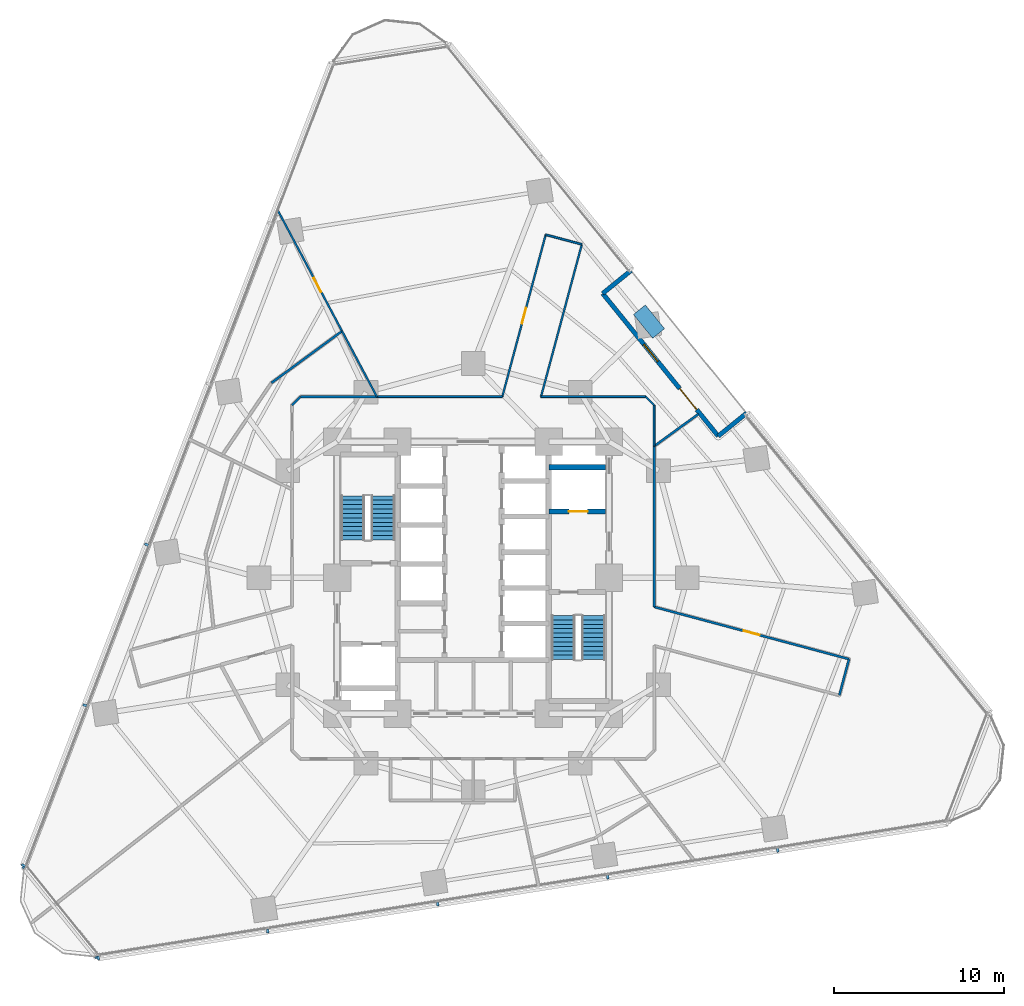
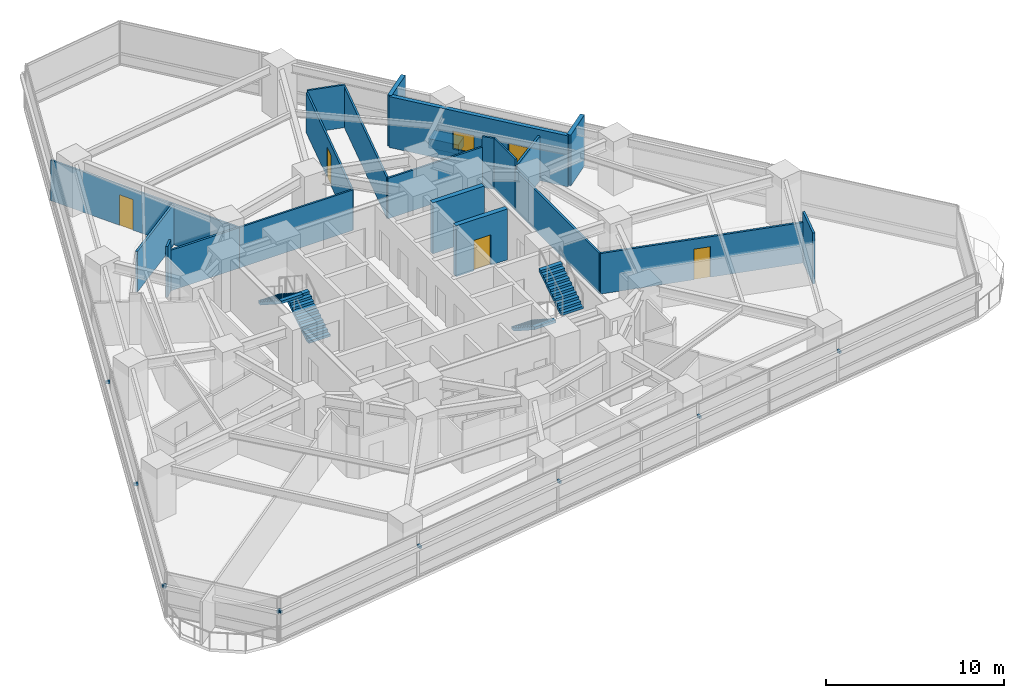
# One storey, part 9 of 13: 21 walls, 11 discrete accessories, 5 doors, 4 stair flights, 1 window, 6 openings, 2 elements without a shape of their own.
"""IFC4 building model written with IfcOpenShell, lengths in metres."""

from ifc_helpers import new_model, si_unit, direction, frame, frame_2d, origin, origin_2d, place, context, subcontext, project, spatial, polyline, rectangle, outline, extrude, material, layer, layer_set, type_object, element, fill, aggregate, save


model = new_model("IFC4")

# Units and contexts
model_context = context("Model", 3, precision=1e-05, world=origin(), true_north=direction((0.0, 1.0)))
body_context = subcontext(model_context, "Body", "Model", "MODEL_VIEW")
ifc_project = project(units=[si_unit("LENGTHUNIT", "METRE"), si_unit("AREAUNIT", "SQUARE_METRE"), si_unit("VOLUMEUNIT", "CUBIC_METRE"), si_unit("PLANEANGLEUNIT", "RADIAN"), si_unit("MASSUNIT", "GRAM", prefix="KILO")], contexts=[model_context])

# Site, building, storey
site_placement = place(None, origin())
site = spatial("IfcSite", under=ifc_project, at=site_placement, CompositionType="ELEMENT")
building_placement = place(site_placement, origin())
building = spatial("IfcBuilding", under=site, at=building_placement, Name="Terralouvre Media Tower", CompositionType="ELEMENT")
storey_placement = place(building_placement, frame((0.0, 0.0, 77.800048828125)))
storey = spatial("IfcBuildingStorey", under=building, at=storey_placement, Name="L19", CompositionType="ELEMENT", Elevation=77.800048828125)

# Wall, opening, door
ifc_material_1 = material(Name="Concrete C50/60", Category="concrete")
ifc_layer_1 = layer(ifc_material_1, 0.300048828125, Name="Core Internal Shaft Wall CW-300")
ifc_layer_set_1 = layer_set([ifc_layer_1], Name="Concrete C50/60")
wall_type_1 = type_object("IfcWallType", Name="Core Internal Shaft Wall CW-300", PredefinedType="SHEAR", material=ifc_layer_set_1)
wall_1_placement = place(storey_placement, frame((4.449951171875, 3.89990234375, 0.0), z_axis=(0.0, 0.0, 1.0), x_axis=(1.0, 0.0, 0.0)))
wall_1 = element("IfcWall", 1, at=wall_1_placement, inside=storey, type_object=wall_type_1, Name="L19 Core Shaft Wall FF2S", PredefinedType="SHEAR", context=body_context, shape_type="SweptSolid", body=[
    extrude(rectangle(XDim=3.340087890625, YDim=0.300048828125, at=frame_2d((1.669921875, 0.0))), origin(), (0.0, 0.0, 1.0), 3.5),
])
opening_1_placement = place(wall_1_placement, frame((1.179931640625, 0.0, 0.0)))
opening_1 = element("IfcOpeningElement", 2, at=opening_1_placement, cuts=wall_1, Name="Opening LD-FF", PredefinedType="OPENING", context=body_context, shape_type="SweptSolid", body=[
    extrude(rectangle(XDim=1.10009765625, YDim=2.10009765625, at=frame_2d((0.550048828125, 1.050048828125))), frame((0.0, 0.159912109375, 0.0), z_axis=(0.0, -1.0, 0.0), x_axis=(1.0, 0.0, 0.0)), (0.0, 0.0, 1.0), 0.320068359375),
])
ifc_material_2 = material(Name="Stainless steel 316 handrail and balustrade", Category="steel")
door_type_1 = type_object("IfcDoorType", Name="Firefighting Lift Sliding Landing Door LD-FF", OperationType="SLIDING_TO_LEFT", PredefinedType="DOOR", material=ifc_material_2)
door_1_placement = place(opening_1_placement, origin())
door_1 = element("IfcDoor", 3, at=door_1_placement, inside=storey, type_object=door_type_1, Name="L19 Firefighting Lift FFL-02 Landing Door", OperationType="SLIDING_TO_LEFT", OverallHeight=2.10009765625, OverallWidth=1.10009765625, PredefinedType="DOOR", context=body_context, shape_type="SweptSolid", body=[
    extrude(rectangle(XDim=1.10009765625, YDim=2.10009765625, at=frame_2d((0.550048828125, 1.050048828125))), frame((0.0, 0.02490234375, 0.0), z_axis=(0.0, -1.0, 0.0), x_axis=(1.0, 0.0, 0.0)), (0.0, 0.0, 1.0), 0.050048828125),
])
fill(opening_1, door_1)

# Walls
wall_2_placement = place(storey_placement, frame((4.449951171875, 6.5, 0.0), z_axis=(0.0, 0.0, 1.0), x_axis=(1.0, 0.0, 0.0)))
element("IfcWall", 4, at=wall_2_placement, inside=storey, type_object=wall_type_1, Name="L19 Core Shaft Wall FF2N", PredefinedType="SHEAR", context=body_context, shape_type="SweptSolid", body=[
    extrude(rectangle(XDim=3.340087890625, YDim=0.300048828125, at=frame_2d((1.669921875, 0.0))), origin(), (0.0, 0.0, 1.0), 3.5),
])
ifc_material_3 = material(Name="Fire-rated gypsum board drywall partition")
ifc_layer_2 = layer(ifc_material_3, 0.135009765625, Name="Newsroom Acoustic Partition PT-135")
ifc_layer_set_2 = layer_set([ifc_layer_2], Name="Fire-rated gypsum board drywall partition")
wall_type_2 = type_object("IfcWallType", Name="Newsroom Acoustic Partition PT-135", PredefinedType="PARTITIONING", material=ifc_layer_set_2)
wall_3_placement = place(storey_placement, frame((21.544921875, -6.912109375, 0.0), z_axis=(0.0, 0.0, 1.0), x_axis=(0.259105843213, 0.965848933329, 0.0)))
element("IfcWall", 5, at=wall_3_placement, inside=storey, type_object=wall_type_2, Name="L19 Interior Partition 005", PredefinedType="PARTITIONING", context=body_context, shape_type="SweptSolid", body=[
    extrude(rectangle(XDim=2.2001953125, YDim=0.135009765625, at=frame_2d((1.10009765625, 0.0))), origin(), (0.0, 0.0, 1.0), 3.5),
])

# Wall, opening, door
wall_4_placement = place(storey_placement, frame((22.114990234375, -4.787109375, 0.0), z_axis=(0.0, 0.0, 1.0), x_axis=(-0.965926659449, 0.258815935688, 0.0)))
wall_4 = element("IfcWall", 6, at=wall_4_placement, inside=storey, type_object=wall_type_2, Name="L19 Interior Partition 006", PredefinedType="PARTITIONING", context=body_context, shape_type="SweptSolid", body=[
    extrude(rectangle(XDim=11.86962890625, YDim=0.135009765625, at=frame_2d((5.934814453125, 0.0))), origin(), (0.0, 0.0, 1.0), 2.784912109375),
])
opening_2_placement = place(wall_4_placement, frame((5.459716796875, 0.0, 0.0)))
opening_2 = element("IfcOpeningElement", 7, at=opening_2_placement, cuts=wall_4, Name="Opening ID-02-95X210", PredefinedType="OPENING", context=body_context, shape_type="SweptSolid", body=[
    extrude(rectangle(XDim=0.949951171875, YDim=2.10009765625, at=frame_2d((0.47509765625, 1.050048828125))), frame((0.0, 0.077392578125, 0.0), z_axis=(0.0, -1.0, 0.0), x_axis=(1.0, 0.0, 0.0)), (0.0, 0.0, 1.0), 0.155029296875),
])
ifc_material_4 = material(Name="Engineered hardwood acoustic timber leaf", Category="wood")
door_type_2 = type_object("IfcDoorType", Name="Office and Meeting Room Door ID-02 (950x2100)", OperationType="NOTDEFINED", PredefinedType="DOOR", material=ifc_material_4)
door_2_placement = place(opening_2_placement, origin())
door_2 = element("IfcDoor", 8, at=door_2_placement, inside=storey, type_object=door_type_2, Name="L19 Foreign Press Reading Study 1 Door", OperationType="SINGLE_SWING_RIGHT", OverallHeight=2.10009765625, OverallWidth=0.949951171875, PredefinedType="DOOR", context=body_context, shape_type="SweptSolid", body=[
    extrude(rectangle(XDim=0.949951171875, YDim=2.10009765625, at=frame_2d((0.47509765625, 1.050048828125))), frame((0.0, 0.02490234375, 0.0), z_axis=(0.0, -1.0, 0.0), x_axis=(1.0, 0.0, 0.0)), (0.0, 0.0, 1.0), 0.050048828125),
])
fill(opening_2, door_2)

# Walls
wall_5_placement = place(storey_placement, frame((10.64990234375, -1.715087890625, 0.0), z_axis=(0.0, 0.0, 1.0), x_axis=(0.0, 1.0, 0.0)))
element("IfcWall", 9, at=wall_5_placement, inside=storey, type_object=wall_type_2, Name="L19 Interior Partition 007", PredefinedType="PARTITIONING", context=body_context, shape_type="SweptSolid", body=[
    extrude(rectangle(XDim=9.453125, YDim=0.135009765625, at=frame_2d((4.7265625, 0.0))), origin(), (0.0, 0.0, 1.0), 2.784912109375),
])
wall_6_placement = place(storey_placement, frame((-5.6630859375, 10.64990234375, 0.0), z_axis=(0.0, 0.0, 1.0), x_axis=(-1.0, 0.0, 0.0)))
element("IfcWall", 10, at=wall_6_placement, inside=storey, type_object=wall_type_2, Name="L19 Interior Partition 029", PredefinedType="PARTITIONING", context=body_context, shape_type="SweptSolid", body=[
    extrude(rectangle(XDim=4.48681640625, YDim=0.135009765625, at=frame_2d((2.243408203125, 0.0))), origin(), (0.0, 0.0, 1.0), 2.784912109375),
])
wall_7_placement = place(storey_placement, frame((-10.14990234375, 10.64990234375, 0.0), z_axis=(0.0, 0.0, 1.0), x_axis=(-0.707106781187, -0.707106781187, 0.0)))
element("IfcWall", 11, at=wall_7_placement, inside=storey, type_object=wall_type_2, Name="L19 Interior Partition 030", PredefinedType="PARTITIONING", context=body_context, shape_type="SweptSolid", body=[
    extrude(rectangle(XDim=0.70703125, YDim=0.135009765625, at=frame_2d((0.353515625, 0.0))), origin(), (0.0, 0.0, 1.0), 3.5),
])
wall_8_placement = place(storey_placement, frame((13.260498046875, 9.634521484375, 0.0), z_axis=(0.0, 0.0, 1.0), x_axis=(-0.809050067095, -0.587739728906, 0.0)))
element("IfcWall", 12, at=wall_8_placement, inside=storey, type_object=wall_type_2, Name="L19 Interior Partition 032", PredefinedType="PARTITIONING", context=body_context, shape_type="SweptSolid", body=[
    extrude(rectangle(XDim=3.226806640625, YDim=0.135009765625, at=frame_2d((1.61328125, 0.0))), origin(), (0.0, 0.0, 1.0), 3.0849609375),
])
wall_9_placement = place(storey_placement, frame((-11.868896484375, 11.4619140625, 0.0), z_axis=(0.0, 0.0, 1.0), x_axis=(0.806469774548, 0.5912753189, 0.0)))
element("IfcWall", 13, at=wall_9_placement, inside=storey, type_object=wall_type_2, Name="L19 Interior Partition 058", PredefinedType="PARTITIONING", context=body_context, shape_type="SweptSolid", body=[
    extrude(rectangle(XDim=5.15185546875, YDim=0.135009765625, at=frame_2d((2.575927734375, 0.0))), origin(), (0.0, 0.0, 1.0), 2.784912109375),
])

# Wall, openings, window, door
ifc_material_5 = material(Name="Kiln-fired architectural terracotta rainscreen cladding", Category="masonry")
ifc_layer_3 = layer(ifc_material_5, 0.260009765625, Name="Recessed Sky-Garden Acoustic Wall EW-SG260")
ifc_layer_set_3 = layer_set([ifc_layer_3], Name="Kiln-fired architectural terracotta rainscreen cladding")
wall_type_3 = type_object("IfcWallType", Name="Recessed Sky-Garden Acoustic Wall EW-SG260", PredefinedType="SOLIDWALL", material=ifc_layer_set_3)
wall_10_placement = place(storey_placement, frame((14.419189453125, 8.330810546875, 0.0), z_axis=(0.0, 0.0, 1.0), x_axis=(-0.629323729277, 0.777143258202, 0.0)))
wall_10 = element("IfcWall", 14, at=wall_10_placement, inside=storey, type_object=wall_type_3, Name="L19 SG Recessed Loggia Back Wall", PredefinedType="SOLIDWALL", context=body_context, shape_type="SweptSolid", body=[
    extrude(rectangle(XDim=10.7998046875, YDim=0.260009765625, at=frame_2d((5.39990234375, 0.0))), origin(), (0.0, 0.0, 1.0), 3.5),
])
opening_3_placement = place(wall_10_placement, frame((2.0, 0.0, 0.0)))
opening_3 = element("IfcOpeningElement", 15, at=opening_3_placement, cuts=wall_10, Name="Opening TD-01", PredefinedType="OPENING", context=body_context, shape_type="SweptSolid", body=[
    extrude(rectangle(XDim=1.60009765625, YDim=2.080078125, at=frame_2d((0.800048828125, 1.0400390625))), frame((0.0, 0.139892578125, 0.0), z_axis=(0.0, -1.0, 0.0), x_axis=(1.0, 0.0, 0.0)), (0.0, 0.0, 1.0), 0.280029296875),
])
opening_4_placement = place(wall_10_placement, frame((5.64990234375, 0.0, 0.85009765625)))
opening_4 = element("IfcOpeningElement", 16, at=opening_4_placement, cuts=wall_10, Name="Opening W-03", PredefinedType="OPENING", context=body_context, shape_type="SweptSolid", body=[
    extrude(rectangle(XDim=1.300048828125, YDim=1.25, at=frame_2d((0.64990234375, 0.625))), frame((0.0, 0.139892578125, 0.0), z_axis=(0.0, -1.0, 0.0), x_axis=(1.0, 0.0, 0.0)), (0.0, 0.0, 1.0), 0.280029296875),
])
ifc_material_6 = material(Name="Low-iron laminated double glazing with solar-control coating", Category="glass")
window_type = type_object("IfcWindowType", Name="Sky-Garden Loggia Window W-03", PartitioningType="SINGLE_PANEL", PredefinedType="WINDOW", material=ifc_material_6)
window_placement = place(opening_4_placement, origin())
window = element("IfcWindow", 17, at=window_placement, inside=storey, type_object=window_type, Name="L19 Pocket Loggia Window 1", OverallHeight=1.25, OverallWidth=1.300048828125, PartitioningType="SINGLE_PANEL", PredefinedType="WINDOW", context=body_context, shape_type="SweptSolid", body=[
    extrude(rectangle(XDim=1.300048828125, YDim=1.25, at=frame_2d((0.64990234375, 0.625))), frame((0.0, 0.030029296875, 0.0), z_axis=(0.0, -1.0, 0.0), x_axis=(1.0, 0.0, 0.0)), (0.0, 0.0, 1.0), 0.06005859375),
])
fill(opening_4, window)
ifc_material_7 = material(Name="Anodised extruded aluminium 6063-T6", Category="aluminium")
door_type_3 = type_object("IfcDoorType", Name="Sky-Garden Terrace Double Door TD-01", OperationType="DOUBLE_DOOR_SLIDING", PredefinedType="DOOR", material=ifc_material_7)
door_3_placement = place(opening_3_placement, frame((1.60009765625, 0.0, 0.0), z_axis=(0.0, 0.0, 1.0), x_axis=(-1.0, 0.0, 0.0)))
door_3 = element("IfcDoor", 18, at=door_3_placement, inside=storey, type_object=door_type_3, Name="L19 Sky-Garden Terrace Door", OperationType="DOUBLE_DOOR_SLIDING", OverallHeight=2.080078125, OverallWidth=1.60009765625, PredefinedType="DOOR", context=body_context, shape_type="SweptSolid", body=[
    extrude(rectangle(XDim=1.60009765625, YDim=2.080078125, at=frame_2d((0.800048828125, 1.0400390625))), frame((0.0, 0.02490234375, 0.0), z_axis=(0.0, -1.0, 0.0), x_axis=(1.0, 0.0, 0.0)), (0.0, 0.0, 1.0), 0.050048828125),
])
fill(opening_3, door_3)

# Walls
for number, where, z_axis, x_axis, name in (
    (19, (16.090087890625, 9.683837890625, 0.0), (0.0, 0.0, 1.0), (-0.77715495389, -0.629309286157, 0.0), "L19 SG Pocket Left Cheek Wall"),
    (20, (7.62255859375, 16.723876953125, 0.0), (0.0, 0.0, 1.0), (0.77715495389, 0.629309286157, 0.0), "L19 SG Pocket Right Cheek Wall"),
):
    element("IfcWall", number, at=place(storey_placement, frame(where, z_axis=z_axis, x_axis=x_axis)), inside=storey, type_object=wall_type_3, Name=name, PredefinedType="SOLIDWALL", context=body_context, shape_type="SweptSolid", body=[
        extrude(rectangle(XDim=2.14990234375, YDim=0.260009765625, at=frame_2d((1.074951171875, 0.0))), origin(), (0.0, 0.0, 1.0), 3.5),
    ])
ifc_material_8 = material(Name="Fire-rated gypsum board drywall partition")
ifc_layer_4 = layer(ifc_material_8, 0.114990234375, Name="Restroom and Pantry Partition PT-115")
ifc_layer_set_4 = layer_set([ifc_layer_4], Name="Fire-rated gypsum board drywall partition")
wall_type_4 = type_object("IfcWallType", Name="Restroom and Pantry Partition PT-115", PredefinedType="PARTITIONING", material=ifc_layer_set_4)
wall_11_placement = place(storey_placement, frame((10.64990234375, 7.738037109375, 0.0), z_axis=(0.0, 0.0, 1.0), x_axis=(0.0, 1.0, 0.0)))
element("IfcWall", 21, at=wall_11_placement, inside=storey, type_object=wall_type_4, Name="L19 Interior Partition 008", PredefinedType="PARTITIONING", context=body_context, shape_type="SweptSolid", body=[
    extrude(rectangle(XDim=2.411865234375, YDim=0.114990234375, at=frame_2d((1.2060546875, 0.0))), origin(), (0.0, 0.0, 1.0), 3.5),
])
wall_12_placement = place(storey_placement, frame((10.64990234375, 10.14990234375, 0.0), z_axis=(0.0, 0.0, 1.0), x_axis=(-0.707106781187, 0.707106781187, 0.0)))
element("IfcWall", 22, at=wall_12_placement, inside=storey, type_object=wall_type_4, Name="L19 Interior Partition 009", PredefinedType="PARTITIONING", context=body_context, shape_type="SweptSolid", body=[
    extrude(rectangle(XDim=0.70703125, YDim=0.114990234375, at=frame_2d((0.353515625, 0.0))), origin(), (0.0, 0.0, 1.0), 3.5),
])
wall_13_placement = place(storey_placement, frame((10.14990234375, 10.64990234375, 0.0), z_axis=(0.0, 0.0, 1.0), x_axis=(-1.0, 0.0, 0.0)))
element("IfcWall", 23, at=wall_13_placement, inside=storey, type_object=wall_type_4, Name="L19 Interior Partition 010", PredefinedType="PARTITIONING", context=body_context, shape_type="SweptSolid", body=[
    extrude(rectangle(XDim=6.157958984375, YDim=0.114990234375, at=frame_2d((3.0791015625, 0.0))), origin(), (0.0, 0.0, 1.0), 2.784912109375),
])
wall_14_placement = place(storey_placement, frame((3.991943359375, 10.64990234375, 0.0), z_axis=(0.0, 0.0, 1.0), x_axis=(0.258862771148, 0.96591410887, 0.0)))
element("IfcWall", 24, at=wall_14_placement, inside=storey, type_object=wall_type_4, Name="L19 Interior Partition 011", PredefinedType="PARTITIONING", context=body_context, shape_type="SweptSolid", body=[
    extrude(rectangle(XDim=9.279541015625, YDim=0.114990234375, at=frame_2d((4.6396484375, 0.0))), origin(), (0.0, 0.0, 1.0), 2.784912109375),
])
wall_15_placement = place(storey_placement, frame((6.39404296875, 19.613037109375, 0.0), z_axis=(0.0, 0.0, 1.0), x_axis=(-0.965848933329, 0.259105843213, 0.0)))
element("IfcWall", 25, at=wall_15_placement, inside=storey, type_object=wall_type_4, Name="L19 Interior Partition 012", PredefinedType="PARTITIONING", context=body_context, shape_type="SweptSolid", body=[
    extrude(rectangle(XDim=2.2001953125, YDim=0.114990234375, at=frame_2d((1.10009765625, 0.0))), origin(), (0.0, 0.0, 1.0), 2.93505859375),
])

# Wall, opening, door
wall_16_placement = place(storey_placement, frame((4.26904296875, 20.18310546875, 0.0), z_axis=(0.0, 0.0, 1.0), x_axis=(-0.258775652721, -0.965937452198, 0.0)))
wall_16 = element("IfcWall", 26, at=wall_16_placement, inside=storey, type_object=wall_type_4, Name="L19 Interior Partition 013", PredefinedType="PARTITIONING", context=body_context, shape_type="SweptSolid", body=[
    extrude(rectangle(XDim=9.869384765625, YDim=0.114990234375, at=frame_2d((4.9345703125, 0.0))), origin(), (0.0, 0.0, 1.0), 2.784912109375),
])
opening_5_placement = place(wall_16_placement, frame((4.459716796875, 0.0, 0.0)))
opening_5 = element("IfcOpeningElement", 27, at=opening_5_placement, cuts=wall_16, Name="Opening SD-01-95X210", PredefinedType="OPENING", context=body_context, shape_type="SweptSolid", body=[
    extrude(rectangle(XDim=0.949951171875, YDim=2.10009765625, at=frame_2d((0.47509765625, 1.050048828125))), frame((0.0, 0.0673828125, 0.0), z_axis=(0.0, -1.0, 0.0), x_axis=(1.0, 0.0, 0.0)), (0.0, 0.0, 1.0), 0.135009765625),
])
ifc_material_9 = material(Name="Anodised extruded aluminium 6063-T6", Category="aluminium")
door_type_4 = type_object("IfcDoorType", Name="Pantry Pocket Sliding Door SD-01 (950x2100)", OperationType="SLIDING_TO_LEFT", PredefinedType="DOOR", material=ifc_material_9)
door_4_placement = place(opening_5_placement, origin())
door_4 = element("IfcDoor", 28, at=door_4_placement, inside=storey, type_object=door_type_4, Name="L19 International Tea Servery 2 Door", OperationType="SLIDING_TO_LEFT", OverallHeight=2.10009765625, OverallWidth=0.949951171875, PredefinedType="DOOR", context=body_context, shape_type="SweptSolid", body=[
    extrude(rectangle(XDim=0.949951171875, YDim=2.10009765625, at=frame_2d((0.47509765625, 1.050048828125))), frame((0.0, 0.02490234375, 0.0), z_axis=(0.0, -1.0, 0.0), x_axis=(1.0, 0.0, 0.0)), (0.0, 0.0, 1.0), 0.050048828125),
])
fill(opening_5, door_4)

# Wall
wall_17_placement = place(storey_placement, frame((1.715087890625, 10.64990234375, 0.0), z_axis=(0.0, 0.0, 1.0), x_axis=(-1.0, 0.0, 0.0)))
element("IfcWall", 29, at=wall_17_placement, inside=storey, type_object=wall_type_4, Name="L19 Interior Partition 014", PredefinedType="PARTITIONING", context=body_context, shape_type="SweptSolid", body=[
    extrude(rectangle(XDim=7.378173828125, YDim=0.114990234375, at=frame_2d((3.68896484375, 0.0))), origin(), (0.0, 0.0, 1.0), 2.784912109375),
])

# Wall, opening, door
wall_18_placement = place(storey_placement, frame((-11.519775390625, 21.66455078125, 0.0), z_axis=(0.0, 0.0, 1.0), x_axis=(0.469518559383, -0.88292260272, 0.0)))
wall_18 = element("IfcWall", 30, at=wall_18_placement, inside=storey, type_object=wall_type_4, Name="L19 Interior Partition 035", PredefinedType="PARTITIONING", context=body_context, shape_type="SweptSolid", body=[
    extrude(rectangle(XDim=8.10546875, YDim=0.114990234375, at=frame_2d((4.052734375, 0.0))), origin(), (0.0, 0.0, 1.0), 2.784912109375),
])
opening_6_placement = place(wall_18_placement, frame((4.5654296875, 0.0, 0.0)))
opening_6 = element("IfcOpeningElement", 31, at=opening_6_placement, cuts=wall_18, Name="Opening ID-03-92X210", PredefinedType="OPENING", context=body_context, shape_type="SweptSolid", body=[
    extrude(rectangle(XDim=0.919921875, YDim=2.10009765625, at=frame_2d((0.4599609375, 1.050048828125))), frame((0.0, 0.0673828125, 0.0), z_axis=(0.0, -1.0, 0.0), x_axis=(1.0, 0.0, 0.0)), (0.0, 0.0, 1.0), 0.135009765625),
])
ifc_material_10 = material(Name="Engineered hardwood acoustic timber leaf", Category="wood")
door_type_5 = type_object("IfcDoorType", Name="Accessible Restroom and Suite Door ID-03 (920x2100)", OperationType="NOTDEFINED", PredefinedType="DOOR", material=ifc_material_10)
door_5_placement = place(opening_6_placement, origin())
door_5 = element("IfcDoor", 32, at=door_5_placement, inside=storey, type_object=door_type_5, Name="L19 Overnight Crew Room 9 Door", OperationType="SINGLE_SWING_RIGHT", OverallHeight=2.10009765625, OverallWidth=0.919921875, PredefinedType="DOOR", context=body_context, shape_type="SweptSolid", body=[
    extrude(rectangle(XDim=0.919921875, YDim=2.10009765625, at=frame_2d((0.4599609375, 1.050048828125))), frame((0.0, 0.02490234375, 0.0), z_axis=(0.0, -1.0, 0.0), x_axis=(1.0, 0.0, 0.0)), (0.0, 0.0, 1.0), 0.050048828125),
])
fill(opening_6, door_5)

# Wall
wall_19_placement = place(storey_placement, frame((-7.714111328125, 14.508056640625, 0.0), z_axis=(0.0, 0.0, 1.0), x_axis=(0.469401685306, -0.882984743827, 0.0)))
element("IfcWall", 33, at=wall_19_placement, inside=storey, type_object=wall_type_4, Name="L19 Interior Partition 036", PredefinedType="PARTITIONING", context=body_context, shape_type="SweptSolid", body=[
    extrude(rectangle(XDim=4.369384765625, YDim=0.114990234375, at=frame_2d((2.1845703125, 0.0))), origin(), (0.0, 0.0, 1.0), 2.784912109375),
])

# Stair, stair flights
ifc_material_11 = material(Name="Concrete C45/55", Category="concrete")
stair_type_1 = type_object("IfcStairType", Name="Dogleg Stair Assembly ST-01", PredefinedType="HALF_TURN_STAIR", material=ifc_material_11)
stair_1_placement = place(storey_placement, origin())
stair_1 = element("IfcStair", 34, at=stair_1_placement, inside=storey, type_object=stair_type_1, Name="L19 Core Pressurised Exit Stair ST-01", PredefinedType="HALF_TURN_STAIR")
ifc_material_12 = material(Name="Concrete C45/55", Category="concrete")
stair_flight_type = type_object("IfcStairFlightType", Name="Reinforced Concrete Stair Flight SF-RC1", PredefinedType="STRAIGHT", material=ifc_material_12)
stair_flight_1_placement = place(storey_placement, frame((-5.300048828125, 2.219970703125, 0.0), z_axis=(0.0, 0.0, 1.0), x_axis=(0.0, 1.0, 0.0)))
stair_flight_1 = element("IfcStairFlight", 35, at=stair_flight_1_placement, type_object=stair_flight_type, Name="ST-01 flight 1", NumberOfRisers=11, NumberOfTreads=10, PredefinedType="STRAIGHT", RiserHeight=0.168181818, TreadLength=0.26, context=body_context, shape_type="SweptSolid", body=[
    extrude(outline(polyline([(0.0, 0.0), (0.0, 0.168212890625), (0.260009765625, 0.168212890625), (0.260009765625, 0.33642578125), (0.52001953125, 0.33642578125), (0.52001953125, 0.504638671875), (0.780029296875, 0.504638671875), (0.780029296875, 0.672607421875), (1.0400390625, 0.672607421875), (1.0400390625, 0.8408203125), (1.300048828125, 0.8408203125), (1.300048828125, 1.009033203125), (1.56005859375, 1.009033203125), (1.56005859375, 1.17724609375), (1.820068359375, 1.17724609375), (1.820068359375, 1.345458984375), (2.080078125, 1.345458984375), (2.080078125, 1.513671875), (2.340087890625, 1.513671875), (2.340087890625, 1.681884765625), (2.60009765625, 1.681884765625), (2.60009765625, 1.85009765625), (2.60009765625, 1.503173828125), (0.27587890625, 0.0), (0.0, 0.0)])), frame((0.0, 0.699951171875, 0.0), z_axis=(0.0, -1.0, 0.0), x_axis=(1.0, 0.0, 0.0)), (0.0, 0.0, 1.0), 1.39990234375),
])
stair_flight_2_placement = place(storey_placement, frame((-7.080078125, 4.820068359375, 1.849853515625), z_axis=(0.0, 0.0, 1.0), x_axis=(0.0, -1.0, 0.0)))
stair_flight_2 = element("IfcStairFlight", 36, at=stair_flight_2_placement, type_object=stair_flight_type, Name="ST-01 flight 2", NumberOfRisers=11, NumberOfTreads=10, PredefinedType="STRAIGHT", RiserHeight=0.168181818, TreadLength=0.26, context=body_context, shape_type="SweptSolid", body=[
    extrude(outline(polyline([(0.0, 0.0), (0.0, 0.168212890625), (0.260009765625, 0.168212890625), (0.260009765625, 0.33642578125), (0.52001953125, 0.33642578125), (0.52001953125, 0.504638671875), (0.780029296875, 0.504638671875), (0.780029296875, 0.672607421875), (1.0400390625, 0.672607421875), (1.0400390625, 0.8408203125), (1.300048828125, 0.8408203125), (1.300048828125, 1.009033203125), (1.56005859375, 1.009033203125), (1.56005859375, 1.17724609375), (1.820068359375, 1.17724609375), (1.820068359375, 1.345458984375), (2.080078125, 1.345458984375), (2.080078125, 1.513671875), (2.340087890625, 1.513671875), (2.340087890625, 1.681884765625), (2.60009765625, 1.681884765625), (2.60009765625, 1.85009765625), (2.60009765625, 1.503173828125), (0.27587890625, 0.0), (0.0, 0.0)])), frame((0.0, 0.699951171875, 0.0), z_axis=(0.0, -1.0, 0.0), x_axis=(1.0, 0.0, 0.0)), (0.0, 0.0, 1.0), 1.39990234375),
])
aggregate(stair_1, [stair_flight_1, stair_flight_2])

ifc_material_13 = material(Name="Concrete C45/55", Category="concrete")
stair_type_2 = type_object("IfcStairType", Name="Dogleg Stair Assembly ST-02", PredefinedType="HALF_TURN_STAIR", material=ifc_material_13)
stair_2_placement = place(storey_placement, origin())
stair_2 = element("IfcStair", 37, at=stair_2_placement, inside=storey, type_object=stair_type_2, Name="L19 Core Pressurised Exit Stair ST-02", PredefinedType="HALF_TURN_STAIR")
stair_flight_3_placement = place(storey_placement, frame((5.300048828125, -2.219970703125, 0.0), z_axis=(0.0, 0.0, 1.0), x_axis=(0.0, -1.0, 0.0)))
stair_flight_3 = element("IfcStairFlight", 38, at=stair_flight_3_placement, type_object=stair_flight_type, Name="ST-02 flight 1", NumberOfRisers=11, NumberOfTreads=10, PredefinedType="STRAIGHT", RiserHeight=0.168181818, TreadLength=0.26, context=body_context, shape_type="SweptSolid", body=[
    extrude(outline(polyline([(0.0, 0.0), (0.0, 0.168212890625), (0.260009765625, 0.168212890625), (0.260009765625, 0.33642578125), (0.52001953125, 0.33642578125), (0.52001953125, 0.504638671875), (0.780029296875, 0.504638671875), (0.780029296875, 0.672607421875), (1.0400390625, 0.672607421875), (1.0400390625, 0.8408203125), (1.300048828125, 0.8408203125), (1.300048828125, 1.009033203125), (1.56005859375, 1.009033203125), (1.56005859375, 1.17724609375), (1.820068359375, 1.17724609375), (1.820068359375, 1.345458984375), (2.080078125, 1.345458984375), (2.080078125, 1.513671875), (2.340087890625, 1.513671875), (2.340087890625, 1.681884765625), (2.60009765625, 1.681884765625), (2.60009765625, 1.85009765625), (2.60009765625, 1.503173828125), (0.27587890625, 0.0), (0.0, 0.0)])), frame((0.0, 0.699951171875, 0.0), z_axis=(0.0, -1.0, 0.0), x_axis=(1.0, 0.0, 0.0)), (0.0, 0.0, 1.0), 1.39990234375),
])
stair_flight_4_placement = place(storey_placement, frame((7.080078125, -4.820068359375, 1.849853515625), z_axis=(0.0, 0.0, 1.0), x_axis=(0.0, 1.0, 0.0)))
stair_flight_4 = element("IfcStairFlight", 39, at=stair_flight_4_placement, type_object=stair_flight_type, Name="ST-02 flight 2", NumberOfRisers=11, NumberOfTreads=10, PredefinedType="STRAIGHT", RiserHeight=0.168181818, TreadLength=0.26, context=body_context, shape_type="SweptSolid", body=[
    extrude(outline(polyline([(0.0, 0.0), (0.0, 0.168212890625), (0.260009765625, 0.168212890625), (0.260009765625, 0.33642578125), (0.52001953125, 0.33642578125), (0.52001953125, 0.504638671875), (0.780029296875, 0.504638671875), (0.780029296875, 0.672607421875), (1.0400390625, 0.672607421875), (1.0400390625, 0.8408203125), (1.300048828125, 0.8408203125), (1.300048828125, 1.009033203125), (1.56005859375, 1.009033203125), (1.56005859375, 1.17724609375), (1.820068359375, 1.17724609375), (1.820068359375, 1.345458984375), (2.080078125, 1.345458984375), (2.080078125, 1.513671875), (2.340087890625, 1.513671875), (2.340087890625, 1.681884765625), (2.60009765625, 1.681884765625), (2.60009765625, 1.85009765625), (2.60009765625, 1.503173828125), (0.27587890625, 0.0), (0.0, 0.0)])), frame((0.0, 0.699951171875, 0.0), z_axis=(0.0, -1.0, 0.0), x_axis=(1.0, 0.0, 0.0)), (0.0, 0.0, 1.0), 1.39990234375),
])
aggregate(stair_2, [stair_flight_3, stair_flight_4])

# Discrete accessories
ifc_material_14 = material(Name="Anodised extruded aluminium 6063-T6", Category="aluminium")
discrete_accessory_type_1 = type_object("IfcDiscreteAccessoryType", Name="Mullion Stand-Off Baguette Fixing Bracket BK-01", PredefinedType="BRACKET", material=ifc_material_14)
for number, where, z_axis, x_axis, name in (
    (40, (-22.055419921875, -22.364013671875, 2.07421875), (0.0, 0.0, 1.0), (0.987688340934, 0.156434462903, 0.0), "CW-L19-F0 Baguette Outrigger Bracket 1.01"),
    (41, (-12.08935546875, -20.78564453125, 2.07421875), (0.0, 0.0, 1.0), (0.987688340934, 0.156434462903, 0.0), "CW-L19-F0 Baguette Outrigger Bracket 1.02"),
    (42, (-2.0859375, -19.201171875, 2.07421875), (0.0, 0.0, 1.0), (0.987688340934, 0.156434462903, 0.0), "CW-L19-F0 Baguette Outrigger Bracket 1.03"),
    (43, (7.91748046875, -17.616943359375, 2.07421875), (0.0, 0.0, 1.0), (0.987688340934, 0.156434462903, 0.0), "CW-L19-F0 Baguette Outrigger Bracket 1.04"),
    (44, (17.920654296875, -16.032470703125, 2.07421875), (0.0, 0.0, 1.0), (0.987688340934, 0.156434462903, 0.0), "CW-L19-F0 Baguette Outrigger Bracket 1.05"),
    (45, (-19.21533203125, 1.951904296875, 2.07421875), (0.0, 0.0, 1.0), (-0.358367917006, -0.933580438988, 0.0), "CW-L19-F2 Baguette Outrigger Bracket 1.04"),
    (46, (-22.844970703125, -7.50341796875, 2.07421875), (0.0, 0.0, 1.0), (-0.358367917006, -0.933580438988, 0.0), "CW-L19-F2 Baguette Outrigger Bracket 1.05"),
    (47, (-26.4609375, -16.923828125, 2.07421875), (0.0, 0.0, 1.0), (-0.358367917006, -0.933580438988, 0.0), "CW-L19-F2 Baguette Outrigger Bracket 1.06"),
    (48, (-26.428955078125, -17.014892578125, 2.07421875), (0.0, 0.0, 1.0), (0.629320031936, -0.777146252262, 0.0), "CW-L19-C0 Baguette Outrigger Bracket 1.01"),
    (49, (-22.137939453125, -22.31396484375, 2.07421875), (0.0, 0.0, 1.0), (0.629320031936, -0.777146252262, 0.0), "CW-L19-C0 Baguette Outrigger Bracket 1.02"),
):
    element("IfcDiscreteAccessory", number, at=place(storey_placement, frame(where, z_axis=z_axis, x_axis=x_axis)), inside=storey, type_object=discrete_accessory_type_1, Name=name, PredefinedType="BRACKET", context=body_context, shape_type="SweptSolid", body=[
        extrude(rectangle(XDim=0.139892578125, YDim=0.239990234375, at=origin_2d()), origin(), (0.0, 0.0, 1.0), 0.179931640625),
    ])
ifc_material_15 = material(Name="Kiln-fired architectural terracotta rainscreen cladding", Category="masonry")
discrete_accessory_type_2 = type_object("IfcDiscreteAccessoryType", Name="Planted Tropical Garden Bed Planter PLT-01", PredefinedType="USERDEFINED", material=ifc_material_15)
discrete_accessory_placement = place(storey_placement, frame((10.345947265625, 15.069091796875, -0.0048828125), z_axis=(0.0, 0.0, 1.0), x_axis=(-0.629320136024, 0.777146167973, 0.0)))
element("IfcDiscreteAccessory", 50, at=discrete_accessory_placement, inside=storey, type_object=discrete_accessory_type_2, Name="L19 SG Planted Garden Bed Planter", ObjectType="PLANTER", PredefinedType="USERDEFINED", context=body_context, shape_type="SweptSolid", body=[
    extrude(rectangle(XDim=1.800048828125, YDim=0.89990234375, at=origin_2d()), origin(), (0.0, 0.0, 1.0), 0.64990234375),
])

save(model, "model.ifc")
